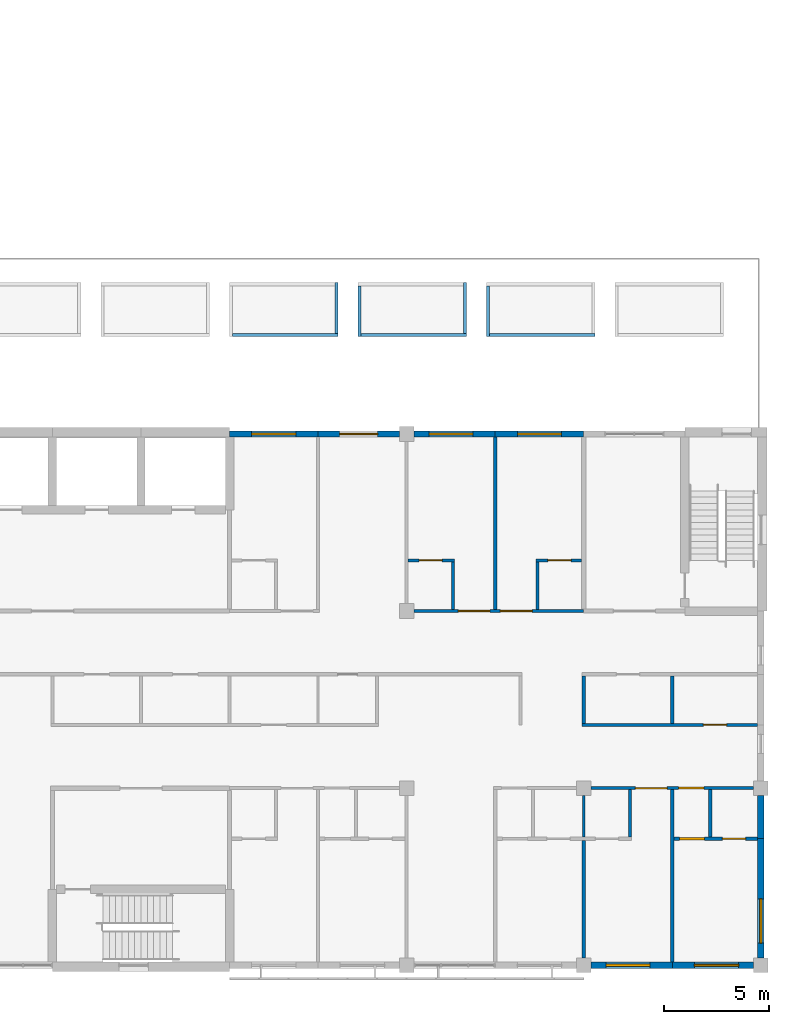
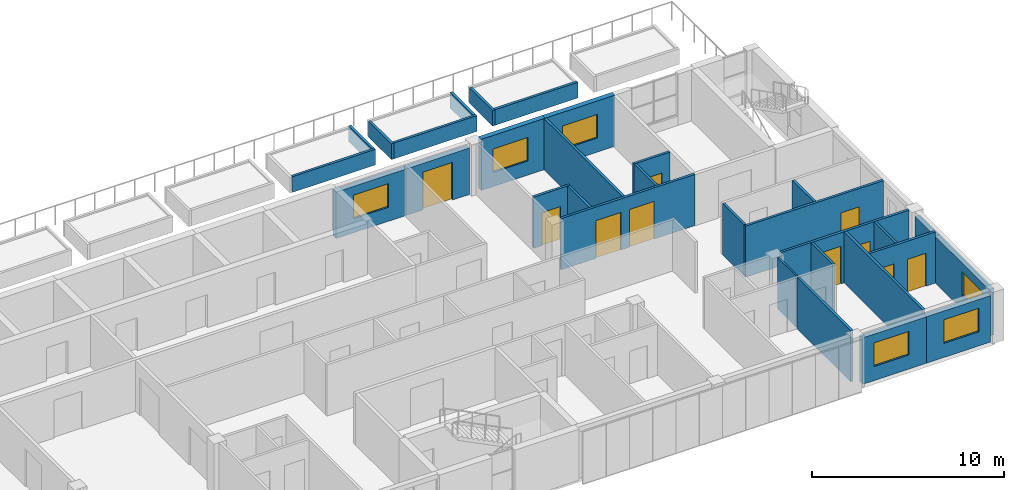
# One storey, part 46 of 61: 31 walls, 10 doors, 6 windows, 16 openings.
"""IFC4 building model written with IfcOpenShell, lengths in metres."""

from ifc_helpers import new_model, si_unit, direction, frame, frame_2d, origin, place, context, subcontext, project, spatial, rectangle, extrude, material, layer, layer_set, type_object, element, fill, save


model = new_model("IFC4")

# Units and contexts
model_context = context("Model", 3, precision=1e-05, world=origin(), true_north=direction((0.0, 1.0)))
body_context = subcontext(model_context, "Body", "Model", "MODEL_VIEW")
ifc_project = project(units=[si_unit("LENGTHUNIT", "METRE"), si_unit("AREAUNIT", "SQUARE_METRE"), si_unit("VOLUMEUNIT", "CUBIC_METRE"), si_unit("PLANEANGLEUNIT", "RADIAN"), si_unit("MASSUNIT", "GRAM", prefix="KILO")], contexts=[model_context])

# Site, building, storey
site_placement = place(None, origin())
site = spatial("IfcSite", under=ifc_project, at=site_placement, CompositionType="ELEMENT")
building_placement = place(site_placement, origin())
building = spatial("IfcBuilding", under=site, at=building_placement, Name="Yavir Park General Hospital", CompositionType="ELEMENT")
storey_placement = place(building_placement, frame((0.0, 0.0, 15.300048828125)))
storey = spatial("IfcBuildingStorey", under=building, at=storey_placement, Name="L03", CompositionType="ELEMENT", Elevation=15.300048828125)

# Wall
ifc_material_1 = material(Name="Gypsum board partition on steel studs", Category="steel")
ifc_layer_1 = layer(ifc_material_1, 0.10009765625)
ifc_layer_set_1 = layer_set([ifc_layer_1], Name="Gypsum board partition on steel studs")
wall_type_1 = type_object("IfcWallType", Name="Gypsum board partition 100", PredefinedType="PARTITIONING", material=ifc_layer_set_1)
wall_1_placement = place(storey_placement, frame((159.60009765625, 6.074951171875, 0.0), z_axis=(0.0, 0.0, 1.0), x_axis=(0.0, 1.0, 0.0)))
element("IfcWall", 1, at=wall_1_placement, inside=storey, type_object=wall_type_1, Name="P10 L03-291", PredefinedType="PARTITIONING", context=body_context, shape_type="SweptSolid", body=[
    extrude(rectangle(XDim=1.97509765625, YDim=0.10009765625, at=frame_2d((0.987548828125, 0.0))), origin(), (0.0, 0.0, 1.0), 3.260009765625),
])

# Wall, openings, doors
ifc_material_2 = material(Name="Gypsum board partition on steel studs", Category="steel")
ifc_layer_2 = layer(ifc_material_2, 0.14990234375)
ifc_layer_set_2 = layer_set([ifc_layer_2], Name="Gypsum board partition on steel studs")
wall_type_2 = type_object("IfcWallType", Name="Gypsum board partition 150", PredefinedType="PARTITIONING", material=ifc_layer_set_2)
wall_2_placement = place(storey_placement, frame((163.875, 6.0, 0.0), z_axis=(0.0, 0.0, 1.0), x_axis=(1.0, 0.0, 0.0)))
wall_2 = element("IfcWall", 2, at=wall_2_placement, inside=storey, type_object=wall_type_2, Name="P15 L03-013", PredefinedType="PARTITIONING", context=body_context, shape_type="SweptSolid", body=[
    extrude(rectangle(XDim=3.97509765625, YDim=0.14990234375, at=frame_2d((1.987548828125, 0.0))), origin(), (0.0, 0.0, 1.0), 3.260009765625),
])
opening_1_placement = place(wall_2_placement, frame((0.262451171875, 0.0, 0.0)))
opening_1 = element("IfcOpeningElement", 3, at=opening_1_placement, cuts=wall_2, Name="Opening L03.D018", PredefinedType="OPENING", context=body_context, shape_type="SweptSolid", body=[
    extrude(rectangle(XDim=1.199951171875, YDim=2.10009765625, at=frame_2d((0.60009765625, 1.050048828125))), frame((0.0, 0.0849609375, 0.0), z_axis=(0.0, -1.0, 0.0), x_axis=(1.0, 0.0, 0.0)), (0.0, 0.0, 1.0), 0.169921875),
])
opening_2_placement = place(wall_2_placement, frame((2.300048828125, 0.0, 0.0)))
opening_2 = element("IfcOpeningElement", 4, at=opening_2_placement, cuts=wall_2, Name="Opening L03.D019", PredefinedType="OPENING", context=body_context, shape_type="SweptSolid", body=[
    extrude(rectangle(XDim=1.10009765625, YDim=2.10009765625, at=frame_2d((0.550048828125, 1.050048828125))), frame((0.0, 0.0849609375, 0.0), z_axis=(0.0, -1.0, 0.0), x_axis=(1.0, 0.0, 0.0)), (0.0, 0.0, 1.0), 0.169921875),
])
ifc_material_3 = material(Name="Sealed steel door leaf, compression seals", Category="steel")
door_type_1 = type_object("IfcDoorType", Name="Isolation airlock door 1200 x 2100", OperationType="SINGLE_SWING_LEFT", PredefinedType="DOOR", material=ifc_material_3)
door_1_placement = place(opening_1_placement, origin())
door_1 = element("IfcDoor", 5, at=door_1_placement, inside=storey, type_object=door_type_1, Name="L03.D018", OperationType="SINGLE_SWING_LEFT", OverallHeight=2.10009765625, OverallWidth=1.199951171875, PredefinedType="DOOR", context=body_context, shape_type="SweptSolid", body=[
    extrude(rectangle(XDim=1.199951171875, YDim=2.10009765625, at=frame_2d((0.60009765625, 1.050048828125))), frame((0.0, 0.050048828125, 0.0), z_axis=(0.0, -1.0, 0.0), x_axis=(1.0, 0.0, 0.0)), (0.0, 0.0, 1.0), 0.10009765625),
])
fill(opening_1, door_1)
ifc_material_4 = material(Name="Hollow metal frame, solid-core timber leaf", Category="wood")
door_type_2 = type_object("IfcDoorType", Name="Single swing door 1100 x 2100", OperationType="SINGLE_SWING_LEFT", PredefinedType="DOOR", material=ifc_material_4)
door_2_placement = place(opening_2_placement, origin())
door_2 = element("IfcDoor", 6, at=door_2_placement, inside=storey, type_object=door_type_2, Name="L03.D019", OperationType="SINGLE_SWING_RIGHT", OverallHeight=2.10009765625, OverallWidth=1.10009765625, PredefinedType="DOOR", context=body_context, shape_type="SweptSolid", body=[
    extrude(rectangle(XDim=1.10009765625, YDim=2.10009765625, at=frame_2d((0.550048828125, 1.050048828125))), frame((0.0, 0.02490234375, 0.0), z_axis=(0.0, -1.0, 0.0), x_axis=(1.0, 0.0, 0.0)), (0.0, 0.0, 1.0), 0.050048828125),
])
fill(opening_2, door_2)

wall_3_placement = place(storey_placement, frame((159.949951171875, 8.39990234375, 0.0), z_axis=(0.0, 0.0, 1.0), x_axis=(1.0, 0.0, 0.0)))
wall_3 = element("IfcWall", 7, at=wall_3_placement, inside=storey, type_object=wall_type_2, Name="P15 L03-028", PredefinedType="PARTITIONING", context=body_context, shape_type="SweptSolid", body=[
    extrude(rectangle(XDim=7.699951171875, YDim=0.14990234375, at=frame_2d((3.85009765625, 0.0))), origin(), (0.0, 0.0, 1.0), 3.260009765625),
])
opening_3_placement = place(wall_3_placement, frame((2.10009765625, 0.0, 0.0)))
opening_3 = element("IfcOpeningElement", 8, at=opening_3_placement, cuts=wall_3, Name="Opening L03.D037", PredefinedType="OPENING", context=body_context, shape_type="SweptSolid", body=[
    extrude(rectangle(XDim=1.5, YDim=2.39990234375, at=frame_2d((0.75, 1.199951171875))), frame((0.0, 0.0849609375, 0.0), z_axis=(0.0, -1.0, 0.0), x_axis=(1.0, 0.0, 0.0)), (0.0, 0.0, 1.0), 0.169921875),
])
opening_4_placement = place(wall_3_placement, frame((4.14990234375, 0.0, 0.0)))
opening_4 = element("IfcOpeningElement", 9, at=opening_4_placement, cuts=wall_3, Name="Opening L03.D038", PredefinedType="OPENING", context=body_context, shape_type="SweptSolid", body=[
    extrude(rectangle(XDim=1.199951171875, YDim=2.10009765625, at=frame_2d((0.60009765625, 1.050048828125))), frame((0.0, 0.0849609375, 0.0), z_axis=(0.0, -1.0, 0.0), x_axis=(1.0, 0.0, 0.0)), (0.0, 0.0, 1.0), 0.169921875),
])
ifc_material_5 = material(Name="Solid-core timber leaves, push plates, kick plates", Category="wood")
door_type_3 = type_object("IfcDoorType", Name="Bed door, unequal leaves 1500 x 2400", OperationType="DOUBLE_DOOR_SINGLE_SWING", PredefinedType="DOOR", material=ifc_material_5)
door_3_placement = place(opening_3_placement, origin())
door_3 = element("IfcDoor", 10, at=door_3_placement, inside=storey, type_object=door_type_3, Name="L03.D037", OperationType="SINGLE_SWING_LEFT", OverallHeight=2.39990234375, OverallWidth=1.5, PredefinedType="DOOR", context=body_context, shape_type="SweptSolid", body=[
    extrude(rectangle(XDim=1.5, YDim=2.39990234375, at=frame_2d((0.75, 1.199951171875))), frame((0.0, 0.030029296875, 0.0), z_axis=(0.0, -1.0, 0.0), x_axis=(1.0, 0.0, 0.0)), (0.0, 0.0, 1.0), 0.06005859375),
])
fill(opening_3, door_3)
door_4_placement = place(opening_4_placement, origin())
door_4 = element("IfcDoor", 11, at=door_4_placement, inside=storey, type_object=door_type_1, Name="L03.D038", OperationType="SINGLE_SWING_LEFT", OverallHeight=2.10009765625, OverallWidth=1.199951171875, PredefinedType="DOOR", context=body_context, shape_type="SweptSolid", body=[
    extrude(rectangle(XDim=1.199951171875, YDim=2.10009765625, at=frame_2d((0.60009765625, 1.050048828125))), frame((0.0, 0.050048828125, 0.0), z_axis=(0.0, -1.0, 0.0), x_axis=(1.0, 0.0, 0.0)), (0.0, 0.0, 1.0), 0.10009765625),
])
fill(opening_4, door_4)

# Wall, opening, door
wall_4_placement = place(storey_placement, frame((159.52490234375, 11.39990234375, 0.0), z_axis=(0.0, 0.0, 1.0), x_axis=(1.0, 0.0, 0.0)))
wall_4 = element("IfcWall", 12, at=wall_4_placement, inside=storey, type_object=wall_type_2, Name="P15 L03-033", PredefinedType="PARTITIONING", context=body_context, shape_type="SweptSolid", body=[
    extrude(rectangle(XDim=8.3251953125, YDim=0.14990234375, at=frame_2d((4.16259765625, 0.0))), origin(), (0.0, 0.0, 1.0), 3.260009765625),
])
opening_5_placement = place(wall_4_placement, frame((5.75, 0.0, 0.0)))
opening_5 = element("IfcOpeningElement", 13, at=opening_5_placement, cuts=wall_4, Name="Opening L03.D047", PredefinedType="OPENING", context=body_context, shape_type="SweptSolid", body=[
    extrude(rectangle(XDim=1.10009765625, YDim=2.10009765625, at=frame_2d((0.550048828125, 1.050048828125))), frame((0.0, 0.0849609375, 0.0), z_axis=(0.0, -1.0, 0.0), x_axis=(1.0, 0.0, 0.0)), (0.0, 0.0, 1.0), 0.169921875),
])
door_5_placement = place(opening_5_placement, origin())
door_5 = element("IfcDoor", 14, at=door_5_placement, inside=storey, type_object=door_type_2, Name="L03.D047", OperationType="SINGLE_SWING_RIGHT", OverallHeight=2.10009765625, OverallWidth=1.10009765625, PredefinedType="DOOR", context=body_context, shape_type="SweptSolid", body=[
    extrude(rectangle(XDim=1.10009765625, YDim=2.10009765625, at=frame_2d((0.550048828125, 1.050048828125))), frame((0.0, 0.02490234375, 0.0), z_axis=(0.0, -1.0, 0.0), x_axis=(1.0, 0.0, 0.0)), (0.0, 0.0, 1.0), 0.050048828125),
])
fill(opening_5, door_5)

# Wall, openings, doors
wall_5_placement = place(storey_placement, frame((151.550048828125, 16.800048828125, 0.0), z_axis=(0.0, 0.0, 1.0), x_axis=(1.0, 0.0, 0.0)))
wall_5 = element("IfcWall", 15, at=wall_5_placement, inside=storey, type_object=wall_type_2, Name="P15 L03-048", PredefinedType="PARTITIONING", context=body_context, shape_type="SweptSolid", body=[
    extrude(rectangle(XDim=8.050048828125, YDim=0.14990234375, at=frame_2d((4.02490234375, 0.0))), origin(), (0.0, 0.0, 1.0), 3.260009765625),
])
opening_6_placement = place(wall_5_placement, frame((2.10009765625, 0.0, 0.0)))
opening_6 = element("IfcOpeningElement", 16, at=opening_6_placement, cuts=wall_5, Name="Opening L03.D062", PredefinedType="OPENING", context=body_context, shape_type="SweptSolid", body=[
    extrude(rectangle(XDim=1.5, YDim=2.39990234375, at=frame_2d((0.75, 1.199951171875))), frame((0.0, 0.0849609375, 0.0), z_axis=(0.0, -1.0, 0.0), x_axis=(1.0, 0.0, 0.0)), (0.0, 0.0, 1.0), 0.169921875),
])
opening_7_placement = place(wall_5_placement, frame((4.10009765625, 0.0, 0.0)))
opening_7 = element("IfcOpeningElement", 17, at=opening_7_placement, cuts=wall_5, Name="Opening L03.D063", PredefinedType="OPENING", context=body_context, shape_type="SweptSolid", body=[
    extrude(rectangle(XDim=1.5, YDim=2.39990234375, at=frame_2d((0.75, 1.199951171875))), frame((0.0, 0.0849609375, 0.0), z_axis=(0.0, -1.0, 0.0), x_axis=(1.0, 0.0, 0.0)), (0.0, 0.0, 1.0), 0.169921875),
])
door_6_placement = place(opening_6_placement, origin())
door_6 = element("IfcDoor", 18, at=door_6_placement, inside=storey, type_object=door_type_3, Name="L03.D062", OperationType="SINGLE_SWING_RIGHT", OverallHeight=2.39990234375, OverallWidth=1.5, PredefinedType="DOOR", context=body_context, shape_type="SweptSolid", body=[
    extrude(rectangle(XDim=1.5, YDim=2.39990234375, at=frame_2d((0.75, 1.199951171875))), frame((0.0, 0.030029296875, 0.0), z_axis=(0.0, -1.0, 0.0), x_axis=(1.0, 0.0, 0.0)), (0.0, 0.0, 1.0), 0.06005859375),
])
fill(opening_6, door_6)
door_7_placement = place(opening_7_placement, origin())
door_7 = element("IfcDoor", 19, at=door_7_placement, inside=storey, type_object=door_type_3, Name="L03.D063", OperationType="SINGLE_SWING_RIGHT", OverallHeight=2.39990234375, OverallWidth=1.5, PredefinedType="DOOR", context=body_context, shape_type="SweptSolid", body=[
    extrude(rectangle(XDim=1.5, YDim=2.39990234375, at=frame_2d((0.75, 1.199951171875))), frame((0.0, 0.030029296875, 0.0), z_axis=(0.0, -1.0, 0.0), x_axis=(1.0, 0.0, 0.0)), (0.0, 0.0, 1.0), 0.06005859375),
])
fill(opening_7, door_7)

# Wall, opening, door
wall_6_placement = place(storey_placement, frame((151.27490234375, 19.199951171875, 0.0), z_axis=(0.0, 0.0, 1.0), x_axis=(1.0, 0.0, 0.0)))
wall_6 = element("IfcWall", 20, at=wall_6_placement, inside=storey, type_object=wall_type_2, Name="P15 L03-056", PredefinedType="PARTITIONING", context=body_context, shape_type="SweptSolid", body=[
    extrude(rectangle(XDim=2.2001953125, YDim=0.14990234375, at=frame_2d((1.10009765625, 0.0))), origin(), (0.0, 0.0, 1.0), 3.260009765625),
])
opening_8_placement = place(wall_6_placement, frame((0.512451171875, 0.0, 0.0)))
opening_8 = element("IfcOpeningElement", 21, at=opening_8_placement, cuts=wall_6, Name="Opening L03.D069", PredefinedType="OPENING", context=body_context, shape_type="SweptSolid", body=[
    extrude(rectangle(XDim=1.10009765625, YDim=2.10009765625, at=frame_2d((0.550048828125, 1.050048828125))), frame((0.0, 0.0849609375, 0.0), z_axis=(0.0, -1.0, 0.0), x_axis=(1.0, 0.0, 0.0)), (0.0, 0.0, 1.0), 0.169921875),
])
door_8_placement = place(opening_8_placement, origin())
door_8 = element("IfcDoor", 22, at=door_8_placement, inside=storey, type_object=door_type_2, Name="L03.D069", OperationType="SINGLE_SWING_RIGHT", OverallHeight=2.10009765625, OverallWidth=1.10009765625, PredefinedType="DOOR", context=body_context, shape_type="SweptSolid", body=[
    extrude(rectangle(XDim=1.10009765625, YDim=2.10009765625, at=frame_2d((0.550048828125, 1.050048828125))), frame((0.0, 0.02490234375, 0.0), z_axis=(0.0, -1.0, 0.0), x_axis=(1.0, 0.0, 0.0)), (0.0, 0.0, 1.0), 0.050048828125),
])
fill(opening_8, door_8)

wall_7_placement = place(storey_placement, frame((157.324951171875, 19.199951171875, 0.0), z_axis=(0.0, 0.0, 1.0), x_axis=(1.0, 0.0, 0.0)))
wall_7 = element("IfcWall", 23, at=wall_7_placement, inside=storey, type_object=wall_type_2, Name="P15 L03-057", PredefinedType="PARTITIONING", context=body_context, shape_type="SweptSolid", body=[
    extrude(rectangle(XDim=2.175048828125, YDim=0.14990234375, at=frame_2d((1.08740234375, 0.0))), origin(), (0.0, 0.0, 1.0), 3.260009765625),
])
opening_9_placement = place(wall_7_placement, frame((0.574951171875, 0.0, 0.0)))
opening_9 = element("IfcOpeningElement", 24, at=opening_9_placement, cuts=wall_7, Name="Opening L03.D070", PredefinedType="OPENING", context=body_context, shape_type="SweptSolid", body=[
    extrude(rectangle(XDim=1.10009765625, YDim=2.10009765625, at=frame_2d((0.550048828125, 1.050048828125))), frame((0.0, 0.0849609375, 0.0), z_axis=(0.0, -1.0, 0.0), x_axis=(1.0, 0.0, 0.0)), (0.0, 0.0, 1.0), 0.169921875),
])
door_9_placement = place(opening_9_placement, origin())
door_9 = element("IfcDoor", 25, at=door_9_placement, inside=storey, type_object=door_type_2, Name="L03.D070", OperationType="SINGLE_SWING_LEFT", OverallHeight=2.10009765625, OverallWidth=1.10009765625, PredefinedType="DOOR", context=body_context, shape_type="SweptSolid", body=[
    extrude(rectangle(XDim=1.10009765625, YDim=2.10009765625, at=frame_2d((0.550048828125, 1.050048828125))), frame((0.0, 0.02490234375, 0.0), z_axis=(0.0, -1.0, 0.0), x_axis=(1.0, 0.0, 0.0)), (0.0, 0.0, 1.0), 0.050048828125),
])
fill(opening_9, door_9)

# Walls
wall_8_placement = place(storey_placement, frame((153.39990234375, 16.875, 0.0), z_axis=(0.0, 0.0, 1.0), x_axis=(0.0, 1.0, 0.0)))
element("IfcWall", 26, at=wall_8_placement, inside=storey, type_object=wall_type_2, Name="P15 L03-284", PredefinedType="PARTITIONING", context=body_context, shape_type="SweptSolid", body=[
    extrude(rectangle(XDim=2.25, YDim=0.14990234375, at=frame_2d((1.125, 0.0))), origin(), (0.0, 0.0, 1.0), 3.260009765625),
])
wall_9_placement = place(storey_placement, frame((155.39990234375, 16.875, 0.0), z_axis=(0.0, 0.0, 1.0), x_axis=(0.0, 1.0, 0.0)))
element("IfcWall", 27, at=wall_9_placement, inside=storey, type_object=wall_type_2, Name="P15 L03-286", PredefinedType="PARTITIONING", context=body_context, shape_type="SweptSolid", body=[
    extrude(rectangle(XDim=8.175048828125, YDim=0.14990234375, at=frame_2d((4.08740234375, 0.0))), origin(), (0.0, 0.0, 1.0), 3.260009765625),
])
wall_10_placement = place(storey_placement, frame((157.39990234375, 16.875, 0.0), z_axis=(0.0, 0.0, 1.0), x_axis=(0.0, 1.0, 0.0)))
element("IfcWall", 28, at=wall_10_placement, inside=storey, type_object=wall_type_2, Name="P15 L03-289", PredefinedType="PARTITIONING", context=body_context, shape_type="SweptSolid", body=[
    extrude(rectangle(XDim=2.25, YDim=0.14990234375, at=frame_2d((1.125, 0.0))), origin(), (0.0, 0.0, 1.0), 3.260009765625),
])
wall_11_placement = place(storey_placement, frame((159.60009765625, 0.35009765625, 0.0), z_axis=(0.0, 0.0, 1.0), x_axis=(0.0, 1.0, 0.0)))
element("IfcWall", 29, at=wall_11_placement, inside=storey, type_object=wall_type_2, Name="P15 L03-290", PredefinedType="PARTITIONING", context=body_context, shape_type="SweptSolid", body=[
    extrude(rectangle(XDim=5.574951171875, YDim=0.14990234375, at=frame_2d((2.78759765625, 0.0))), origin(), (0.0, 0.0, 1.0), 3.260009765625),
])
for number, where, z_axis, x_axis, name in (
    (30, (159.60009765625, 11.47509765625, 0.0), (0.0, 0.0, 1.0), (0.0, 1.0, 0.0), "P15 L03-292"),
    (31, (161.800048828125, 6.074951171875, 0.0), (0.0, 0.0, 1.0), (0.0, 1.0, 0.0), "P15 L03-294"),
):
    element("IfcWall", number, at=place(storey_placement, frame(where, z_axis=z_axis, x_axis=x_axis)), inside=storey, type_object=wall_type_2, Name=name, PredefinedType="PARTITIONING", context=body_context, shape_type="SweptSolid", body=[
        extrude(rectangle(XDim=2.25, YDim=0.14990234375, at=frame_2d((1.125, 0.0))), origin(), (0.0, 0.0, 1.0), 3.260009765625),
    ])
wall_12_placement = place(storey_placement, frame((163.800048828125, 0.14990234375, 0.0), z_axis=(0.0, 0.0, 1.0), x_axis=(0.0, 1.0, 0.0)))
element("IfcWall", 32, at=wall_12_placement, inside=storey, type_object=wall_type_2, Name="P15 L03-295", PredefinedType="PARTITIONING", context=body_context, shape_type="SweptSolid", body=[
    extrude(rectangle(XDim=8.175048828125, YDim=0.14990234375, at=frame_2d((4.08740234375, 0.0))), origin(), (0.0, 0.0, 1.0), 3.260009765625),
])
for number, where, z_axis, x_axis, name in (
    (33, (163.800048828125, 11.47509765625, 0.0), (0.0, 0.0, 1.0), (0.0, 1.0, 0.0), "P15 L03-296"),
    (34, (165.60009765625, 6.074951171875, 0.0), (0.0, 0.0, 1.0), (0.0, 1.0, 0.0), "P15 L03-298"),
):
    element("IfcWall", number, at=place(storey_placement, frame(where, z_axis=z_axis, x_axis=x_axis)), inside=storey, type_object=wall_type_2, Name=name, PredefinedType="PARTITIONING", context=body_context, shape_type="SweptSolid", body=[
        extrude(rectangle(XDim=2.25, YDim=0.14990234375, at=frame_2d((1.125, 0.0))), origin(), (0.0, 0.0, 1.0), 3.260009765625),
    ])

# Wall, opening, window
ifc_material_6 = material(Name="Autoclaved aerated block, mineral wool and ochre mineral render")
ifc_layer_3 = layer(ifc_material_6, 0.300048828125)
ifc_layer_set_3 = layer_set([ifc_layer_3], Name="Autoclaved aerated block, mineral wool and ochre mineral render")
wall_type_3 = type_object("IfcWallType", Name="Ochre render ward wall 300, E 30", PredefinedType="SOLIDWALL", material=ifc_layer_set_3)
wall_13_placement = place(storey_placement, frame((159.949951171875, 0.0, 0.0), z_axis=(0.0, 0.0, 1.0), x_axis=(1.0, 0.0, 0.0)))
wall_13 = element("IfcWall", 35, at=wall_13_placement, inside=storey, type_object=wall_type_3, Name="XW7 L03-043", PredefinedType="SOLIDWALL", context=body_context, shape_type="SweptSolid", body=[
    extrude(rectangle(XDim=3.85009765625, YDim=0.300048828125, at=frame_2d((1.925048828125, 0.0))), origin(), (0.0, 0.0, 1.0), 2.9599609375),
])
opening_10_placement = place(wall_13_placement, frame((0.699951171875, 0.0, 0.89990234375)))
opening_10 = element("IfcOpeningElement", 36, at=opening_10_placement, cuts=wall_13, Name="Opening WAR", PredefinedType="OPENING", context=body_context, shape_type="SweptSolid", body=[
    extrude(rectangle(XDim=2.10009765625, YDim=1.5, at=frame_2d((1.050048828125, 0.75))), frame((0.0, 0.159912109375, 0.0), z_axis=(0.0, -1.0, 0.0), x_axis=(1.0, 0.0, 0.0)), (0.0, 0.0, 1.0), 0.320068359375),
])
ifc_material_7 = material(Name="Aluminium frame, tilt-and-turn sash with opening restrictor, double glazed unit", Category="aluminium")
window_type_1 = type_object("IfcWindowType", Name="Ward window, restricted opening 2100 x 1500", PartitioningType="DOUBLE_PANEL_VERTICAL", PredefinedType="WINDOW", material=ifc_material_7)
window_1_placement = place(opening_10_placement, origin())
window_1 = element("IfcWindow", 37, at=window_1_placement, inside=storey, type_object=window_type_1, Name="WAR L03-019", OverallHeight=1.5, OverallWidth=2.10009765625, PartitioningType="DOUBLE_PANEL_VERTICAL", PredefinedType="WINDOW", context=body_context, shape_type="SweptSolid", body=[
    extrude(rectangle(XDim=2.10009765625, YDim=1.5, at=frame_2d((1.050048828125, 0.75))), frame((0.0, 0.050048828125, 0.0), z_axis=(0.0, -1.0, 0.0), x_axis=(1.0, 0.0, 0.0)), (0.0, 0.0, 1.0), 0.10009765625),
])
fill(opening_10, window_1)

wall_14_placement = place(storey_placement, frame((163.800048828125, 0.0, 0.0), z_axis=(0.0, 0.0, 1.0), x_axis=(1.0, 0.0, 0.0)))
wall_14 = element("IfcWall", 38, at=wall_14_placement, inside=storey, type_object=wall_type_3, Name="XW7 L03-044", PredefinedType="SOLIDWALL", context=body_context, shape_type="SweptSolid", body=[
    extrude(rectangle(XDim=3.849853515625, YDim=0.300048828125, at=frame_2d((1.9248046875, 0.0))), origin(), (0.0, 0.0, 1.0), 2.9599609375),
])
opening_11_placement = place(wall_14_placement, frame((1.050048828125, 0.0, 0.89990234375)))
opening_11 = element("IfcOpeningElement", 39, at=opening_11_placement, cuts=wall_14, Name="Opening WI", PredefinedType="OPENING", context=body_context, shape_type="SweptSolid", body=[
    extrude(rectangle(XDim=2.10009765625, YDim=1.5, at=frame_2d((1.050048828125, 0.75))), frame((0.0, 0.159912109375, 0.0), z_axis=(0.0, -1.0, 0.0), x_axis=(1.0, 0.0, 0.0)), (0.0, 0.0, 1.0), 0.320068359375),
])
ifc_material_8 = material(Name="Aluminium frame, acoustic glazed unit", Category="aluminium")
window_type_2 = type_object("IfcWindowType", Name="Acoustic glazed window 2100 x 1500", PartitioningType="SINGLE_PANEL", PredefinedType="WINDOW", material=ifc_material_8)
window_2_placement = place(opening_11_placement, origin())
window_2 = element("IfcWindow", 40, at=window_2_placement, inside=storey, type_object=window_type_2, Name="WI L03-020", OverallHeight=1.5, OverallWidth=2.10009765625, PartitioningType="SINGLE_PANEL", PredefinedType="WINDOW", context=body_context, shape_type="SweptSolid", body=[
    extrude(rectangle(XDim=2.10009765625, YDim=1.5, at=frame_2d((1.050048828125, 0.75))), frame((0.0, 0.044921875, 0.0), z_axis=(0.0, -1.0, 0.0), x_axis=(1.0, 0.0, 0.0)), (0.0, 0.0, 1.0), 0.090087890625),
])
fill(opening_11, window_2)

wall_15_placement = place(storey_placement, frame((142.800048828125, 25.199951171875, 0.0), z_axis=(0.0, 0.0, 1.0), x_axis=(1.0, 0.0, 0.0)))
wall_15 = element("IfcWall", 41, at=wall_15_placement, inside=storey, type_object=wall_type_3, Name="XW7 L03-070", PredefinedType="SOLIDWALL", context=body_context, shape_type="SweptSolid", body=[
    extrude(rectangle(XDim=4.199951171875, YDim=0.300048828125, at=frame_2d((2.10009765625, 0.0))), origin(), (0.0, 0.0, 1.0), 2.9599609375),
])
opening_12_placement = place(wall_15_placement, frame((1.050048828125, 0.0, 0.89990234375)))
opening_12 = element("IfcOpeningElement", 42, at=opening_12_placement, cuts=wall_15, Name="Opening WAR", PredefinedType="OPENING", context=body_context, shape_type="SweptSolid", body=[
    extrude(rectangle(XDim=2.10009765625, YDim=1.5, at=frame_2d((1.050048828125, 0.75))), frame((0.0, 0.159912109375, 0.0), z_axis=(0.0, -1.0, 0.0), x_axis=(1.0, 0.0, 0.0)), (0.0, 0.0, 1.0), 0.320068359375),
])
window_3_placement = place(opening_12_placement, origin())
window_3 = element("IfcWindow", 43, at=window_3_placement, inside=storey, type_object=window_type_1, Name="WAR L03-038", OverallHeight=1.5, OverallWidth=2.10009765625, PartitioningType="DOUBLE_PANEL_VERTICAL", PredefinedType="WINDOW", context=body_context, shape_type="SweptSolid", body=[
    extrude(rectangle(XDim=2.10009765625, YDim=1.5, at=frame_2d((1.050048828125, 0.75))), frame((0.0, 0.050048828125, 0.0), z_axis=(0.0, -1.0, 0.0), x_axis=(1.0, 0.0, 0.0)), (0.0, 0.0, 1.0), 0.10009765625),
])
fill(opening_12, window_3)

# Wall, opening, door
wall_16_placement = place(storey_placement, frame((147.0, 25.199951171875, 0.0), z_axis=(0.0, 0.0, 1.0), x_axis=(1.0, 0.0, 0.0)))
wall_16 = element("IfcWall", 44, at=wall_16_placement, inside=storey, type_object=wall_type_3, Name="XW7 L03-071", PredefinedType="SOLIDWALL", context=body_context, shape_type="SweptSolid", body=[
    extrude(rectangle(XDim=3.85009765625, YDim=0.300048828125, at=frame_2d((1.925048828125, 0.0))), origin(), (0.0, 0.0, 1.0), 2.9599609375),
])
opening_13_placement = place(wall_16_placement, frame((1.02490234375, 0.0, 0.0)))
opening_13 = element("IfcOpeningElement", 45, at=opening_13_placement, cuts=wall_16, Name="Opening L03.X03", PredefinedType="OPENING", context=body_context, shape_type="SweptSolid", body=[
    extrude(rectangle(XDim=1.800048828125, YDim=2.39990234375, at=frame_2d((0.89990234375, 1.199951171875))), frame((0.0, 0.159912109375, 0.0), z_axis=(0.0, -1.0, 0.0), x_axis=(1.0, 0.0, 0.0)), (0.0, 0.0, 1.0), 0.320068359375),
])
ifc_material_9 = material(Name="Aluminium thermal-break frame, double glazed leaves", Category="aluminium")
door_type_4 = type_object("IfcDoorType", Name="Thermally broken balcony sliding door 1800 x 2400", OperationType="DOUBLE_DOOR_SLIDING", PredefinedType="DOOR", material=ifc_material_9)
door_10_placement = place(opening_13_placement, origin())
door_10 = element("IfcDoor", 46, at=door_10_placement, inside=storey, type_object=door_type_4, Name="L03.X03", OperationType="DOUBLE_DOOR_SLIDING", OverallHeight=2.39990234375, OverallWidth=1.800048828125, PredefinedType="DOOR", context=body_context, shape_type="SweptSolid", body=[
    extrude(rectangle(XDim=1.800048828125, YDim=2.39990234375, at=frame_2d((0.89990234375, 1.199951171875))), frame((0.0, 0.030029296875, 0.0), z_axis=(0.0, -1.0, 0.0), x_axis=(1.0, 0.0, 0.0)), (0.0, 0.0, 1.0), 0.06005859375),
])
fill(opening_13, door_10)

# Wall, opening, window
wall_17_placement = place(storey_placement, frame((151.550048828125, 25.199951171875, 0.0), z_axis=(0.0, 0.0, 1.0), x_axis=(1.0, 0.0, 0.0)))
wall_17 = element("IfcWall", 47, at=wall_17_placement, inside=storey, type_object=wall_type_3, Name="XW7 L03-072", PredefinedType="SOLIDWALL", context=body_context, shape_type="SweptSolid", body=[
    extrude(rectangle(XDim=3.849853515625, YDim=0.300048828125, at=frame_2d((1.9248046875, 0.0))), origin(), (0.0, 0.0, 1.0), 3.260009765625),
])
opening_14_placement = place(wall_17_placement, frame((0.699951171875, 0.0, 0.89990234375)))
opening_14 = element("IfcOpeningElement", 48, at=opening_14_placement, cuts=wall_17, Name="Opening WAR", PredefinedType="OPENING", context=body_context, shape_type="SweptSolid", body=[
    extrude(rectangle(XDim=2.10009765625, YDim=1.5, at=frame_2d((1.050048828125, 0.75))), frame((0.0, 0.159912109375, 0.0), z_axis=(0.0, -1.0, 0.0), x_axis=(1.0, 0.0, 0.0)), (0.0, 0.0, 1.0), 0.320068359375),
])
window_4_placement = place(opening_14_placement, origin())
window_4 = element("IfcWindow", 49, at=window_4_placement, inside=storey, type_object=window_type_1, Name="WAR L03-039", OverallHeight=1.5, OverallWidth=2.10009765625, PartitioningType="DOUBLE_PANEL_VERTICAL", PredefinedType="WINDOW", context=body_context, shape_type="SweptSolid", body=[
    extrude(rectangle(XDim=2.10009765625, YDim=1.5, at=frame_2d((1.050048828125, 0.75))), frame((0.0, 0.050048828125, 0.0), z_axis=(0.0, -1.0, 0.0), x_axis=(1.0, 0.0, 0.0)), (0.0, 0.0, 1.0), 0.10009765625),
])
fill(opening_14, window_4)

wall_18_placement = place(storey_placement, frame((155.39990234375, 25.199951171875, 0.0), z_axis=(0.0, 0.0, 1.0), x_axis=(1.0, 0.0, 0.0)))
wall_18 = element("IfcWall", 50, at=wall_18_placement, inside=storey, type_object=wall_type_3, Name="XW7 L03-073", PredefinedType="SOLIDWALL", context=body_context, shape_type="SweptSolid", body=[
    extrude(rectangle(XDim=4.2001953125, YDim=0.300048828125, at=frame_2d((2.10009765625, 0.0))), origin(), (0.0, 0.0, 1.0), 3.260009765625),
])
opening_15_placement = place(wall_18_placement, frame((1.050048828125, 0.0, 0.89990234375)))
opening_15 = element("IfcOpeningElement", 51, at=opening_15_placement, cuts=wall_18, Name="Opening WAR", PredefinedType="OPENING", context=body_context, shape_type="SweptSolid", body=[
    extrude(rectangle(XDim=2.10009765625, YDim=1.5, at=frame_2d((1.050048828125, 0.75))), frame((0.0, 0.159912109375, 0.0), z_axis=(0.0, -1.0, 0.0), x_axis=(1.0, 0.0, 0.0)), (0.0, 0.0, 1.0), 0.320068359375),
])
window_5_placement = place(opening_15_placement, origin())
window_5 = element("IfcWindow", 52, at=window_5_placement, inside=storey, type_object=window_type_1, Name="WAR L03-040", OverallHeight=1.5, OverallWidth=2.10009765625, PartitioningType="DOUBLE_PANEL_VERTICAL", PredefinedType="WINDOW", context=body_context, shape_type="SweptSolid", body=[
    extrude(rectangle(XDim=2.10009765625, YDim=1.5, at=frame_2d((1.050048828125, 0.75))), frame((0.0, 0.050048828125, 0.0), z_axis=(0.0, -1.0, 0.0), x_axis=(1.0, 0.0, 0.0)), (0.0, 0.0, 1.0), 0.10009765625),
])
fill(opening_15, window_5)

wall_19_placement = place(storey_placement, frame((168.0, 0.35009765625, 0.0), z_axis=(0.0, 0.0, 1.0), x_axis=(0.0, 1.0, 0.0)))
wall_19 = element("IfcWall", 53, at=wall_19_placement, inside=storey, type_object=wall_type_3, Name="XW7 L03-149", PredefinedType="SOLIDWALL", context=body_context, shape_type="SweptSolid", body=[
    extrude(rectangle(XDim=5.64990234375, YDim=0.300048828125, at=frame_2d((2.824951171875, 0.0))), origin(), (0.0, 0.0, 1.0), 2.9599609375),
])
opening_16_placement = place(wall_19_placement, frame((0.699951171875, 0.0, 0.89990234375)))
opening_16 = element("IfcOpeningElement", 54, at=opening_16_placement, cuts=wall_19, Name="Opening WI", PredefinedType="OPENING", context=body_context, shape_type="SweptSolid", body=[
    extrude(rectangle(XDim=2.10009765625, YDim=1.5, at=frame_2d((1.050048828125, 0.75))), frame((0.0, 0.159912109375, 0.0), z_axis=(0.0, -1.0, 0.0), x_axis=(1.0, 0.0, 0.0)), (0.0, 0.0, 1.0), 0.320068359375),
])
window_6_placement = place(opening_16_placement, origin())
window_6 = element("IfcWindow", 55, at=window_6_placement, inside=storey, type_object=window_type_2, Name="WI L03-071", OverallHeight=1.5, OverallWidth=2.10009765625, PartitioningType="SINGLE_PANEL", PredefinedType="WINDOW", context=body_context, shape_type="SweptSolid", body=[
    extrude(rectangle(XDim=2.10009765625, YDim=1.5, at=frame_2d((1.050048828125, 0.75))), frame((0.0, 0.044921875, 0.0), z_axis=(0.0, -1.0, 0.0), x_axis=(1.0, 0.0, 0.0)), (0.0, 0.0, 1.0), 0.090087890625),
])
fill(opening_16, window_6)

# Walls
wall_20_placement = place(storey_placement, frame((168.0, 6.0, 0.0), z_axis=(0.0, 0.0, 1.0), x_axis=(0.0, 1.0, 0.0)))
element("IfcWall", 56, at=wall_20_placement, inside=storey, type_object=wall_type_3, Name="XW7 L03-150", PredefinedType="SOLIDWALL", context=body_context, shape_type="SweptSolid", body=[
    extrude(rectangle(XDim=2.050048828125, YDim=0.300048828125, at=frame_2d((1.02490234375, 0.0))), origin(), (0.0, 0.0, 1.0), 2.9599609375),
])
ifc_material_10 = material(Name="Concrete C30/37", Category="concrete")
ifc_layer_4 = layer(ifc_material_10, 0.14990234375)
ifc_layer_set_4 = layer_set([ifc_layer_4], Name="Concrete C30/37")
wall_type_4 = type_object("IfcWallType", Name="Planter upstand 150 x 1000", PredefinedType="STANDARD", material=ifc_layer_set_4)
wall_21_placement = place(storey_placement, frame((142.940185546875, 29.89990234375, 0.0), z_axis=(0.0, 0.0, 1.0), x_axis=(1.0, 0.0, 0.0)))
element("IfcWall", 57, at=wall_21_placement, inside=storey, type_object=wall_type_4, Name="Planter upstand 20.1", PredefinedType="STANDARD", context=body_context, shape_type="SweptSolid", body=[
    extrude(rectangle(XDim=5.0, YDim=0.14990234375, at=frame_2d((2.5, 0.0))), origin(), (0.0, 0.0, 1.0), 1.0),
])
wall_22_placement = place(storey_placement, frame((147.865234375, 29.97509765625, 0.0), z_axis=(0.0, 0.0, 1.0), x_axis=(0.0, 1.0, 0.0)))
element("IfcWall", 58, at=wall_22_placement, inside=storey, type_object=wall_type_4, Name="Planter upstand 20.2", PredefinedType="STANDARD", context=body_context, shape_type="SweptSolid", body=[
    extrude(rectangle(XDim=2.39990234375, YDim=0.14990234375, at=frame_2d((1.199951171875, 0.0))), origin(), (0.0, 0.0, 1.0), 1.0),
])
wall_23_placement = place(storey_placement, frame((149.035888671875, 29.89990234375, 0.0), z_axis=(0.0, 0.0, 1.0), x_axis=(1.0, 0.0, 0.0)))
element("IfcWall", 59, at=wall_23_placement, inside=storey, type_object=wall_type_4, Name="Planter upstand 21.1", PredefinedType="STANDARD", context=body_context, shape_type="SweptSolid", body=[
    extrude(rectangle(XDim=5.0, YDim=0.14990234375, at=frame_2d((2.5, 0.0))), origin(), (0.0, 0.0, 1.0), 1.0),
])
wall_24_placement = place(storey_placement, frame((153.9609375, 29.97509765625, 0.0), z_axis=(0.0, 0.0, 1.0), x_axis=(0.0, 1.0, 0.0)))
element("IfcWall", 60, at=wall_24_placement, inside=storey, type_object=wall_type_4, Name="Planter upstand 21.2", PredefinedType="STANDARD", context=body_context, shape_type="SweptSolid", body=[
    extrude(rectangle(XDim=2.39990234375, YDim=0.14990234375, at=frame_2d((1.199951171875, 0.0))), origin(), (0.0, 0.0, 1.0), 1.0),
])
wall_25_placement = place(storey_placement, frame((148.9609375, 32.22509765625, 0.0), z_axis=(0.0, 0.0, 1.0), x_axis=(0.0, -1.0, 0.0)))
element("IfcWall", 61, at=wall_25_placement, inside=storey, type_object=wall_type_4, Name="Planter upstand 21.4", PredefinedType="STANDARD", context=body_context, shape_type="SweptSolid", body=[
    extrude(rectangle(XDim=2.400146484375, YDim=0.14990234375, at=frame_2d((1.2001953125, 0.0))), origin(), (0.0, 0.0, 1.0), 1.0),
])
wall_26_placement = place(storey_placement, frame((155.131591796875, 29.89990234375, 0.0), z_axis=(0.0, 0.0, 1.0), x_axis=(1.0, 0.0, 0.0)))
element("IfcWall", 62, at=wall_26_placement, inside=storey, type_object=wall_type_4, Name="Planter upstand 22.1", PredefinedType="STANDARD", context=body_context, shape_type="SweptSolid", body=[
    extrude(rectangle(XDim=5.0, YDim=0.14990234375, at=frame_2d((2.5, 0.0))), origin(), (0.0, 0.0, 1.0), 1.0),
])
wall_27_placement = place(storey_placement, frame((155.056396484375, 32.22509765625, 0.0), z_axis=(0.0, 0.0, 1.0), x_axis=(0.0, -1.0, 0.0)))
element("IfcWall", 63, at=wall_27_placement, inside=storey, type_object=wall_type_4, Name="Planter upstand 22.4", PredefinedType="STANDARD", context=body_context, shape_type="SweptSolid", body=[
    extrude(rectangle(XDim=2.400146484375, YDim=0.14990234375, at=frame_2d((1.2001953125, 0.0))), origin(), (0.0, 0.0, 1.0), 1.0),
])

save(model, "model.ifc")
